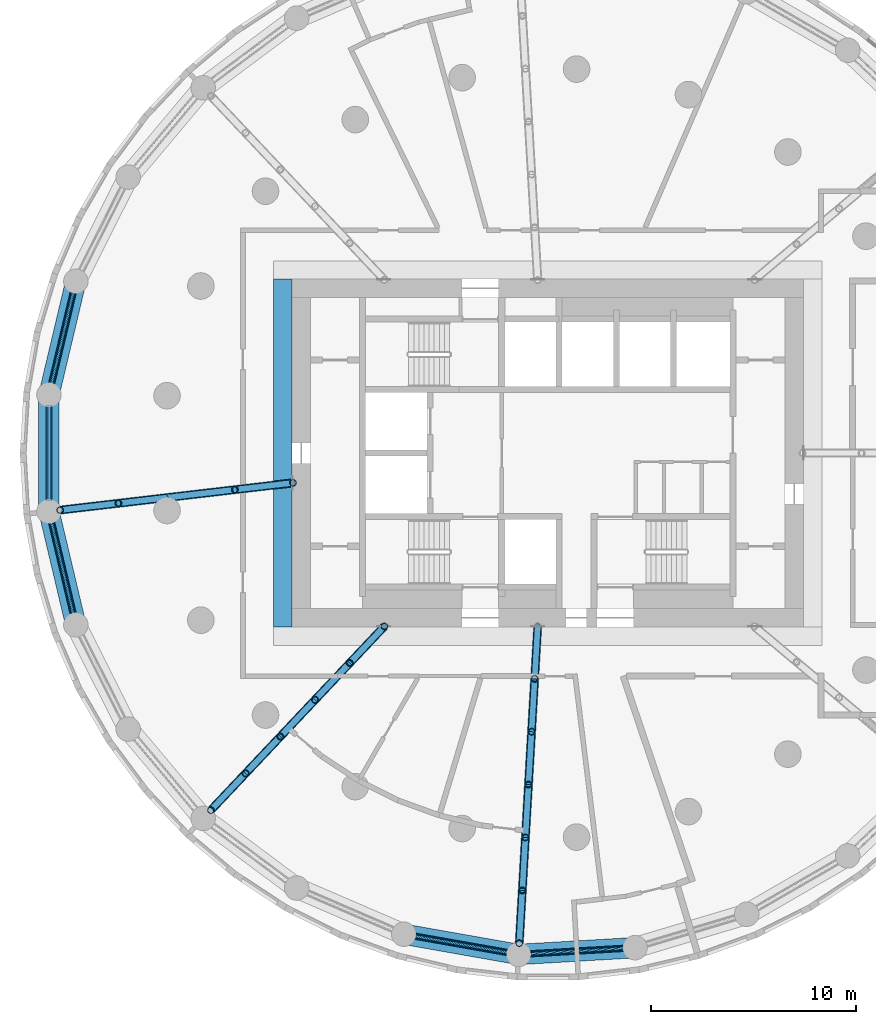
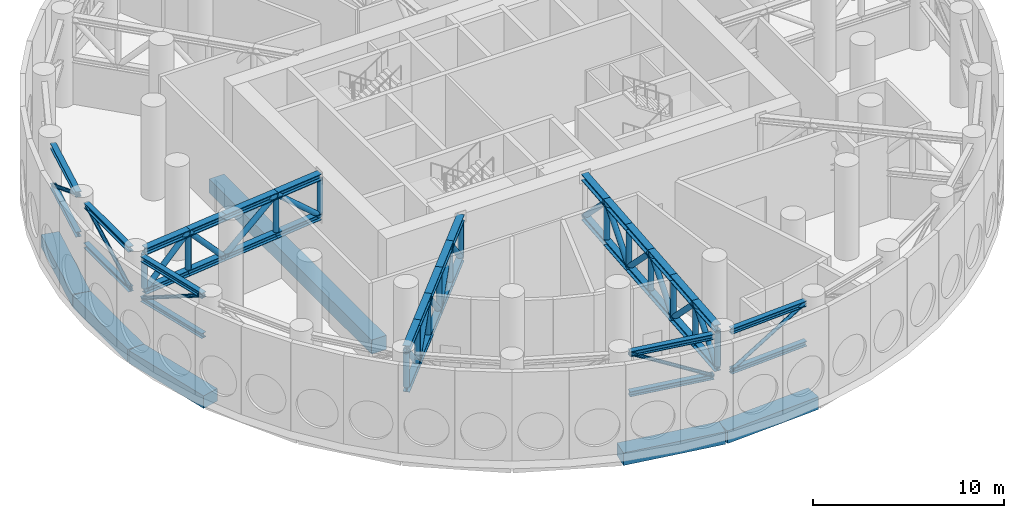
# One storey, part 2 of 15: 76 members, 6 beams.
"""IFC4 building model written with IfcOpenShell, lengths in metres."""

from ifc_helpers import new_model, si_unit, direction, frame, origin, origin_2d, place, context, subcontext, project, spatial, rectangle, hollow_circle, i_section, extrude, material, material_profile, profile_set, type_object, element, save


model = new_model("IFC4")

# Units and contexts
model_context = context("Model", 3, precision=1e-05, world=origin(), true_north=direction((0.0, 1.0)))
body_context = subcontext(model_context, "Body", "Model", "MODEL_VIEW")
ifc_project = project(units=[si_unit("LENGTHUNIT", "METRE"), si_unit("AREAUNIT", "SQUARE_METRE"), si_unit("VOLUMEUNIT", "CUBIC_METRE"), si_unit("PLANEANGLEUNIT", "RADIAN"), si_unit("MASSUNIT", "GRAM", prefix="KILO")], contexts=[model_context])

# Site, building, storey
site_placement = place(None, origin())
site = spatial("IfcSite", under=ifc_project, at=site_placement, CompositionType="ELEMENT")
building_placement = place(site_placement, origin())
building = spatial("IfcBuilding", under=site, at=building_placement, Name="Tracery Tower", CompositionType="ELEMENT")
storey_placement = place(building_placement, frame((0.0, 0.0, 225.0)))
storey = spatial("IfcBuildingStorey", under=building, at=storey_placement, Name="L58 Plant", CompositionType="ELEMENT", Elevation=225.0)

# Members
ifc_material_1 = material(Name="Steel S355", Category="steel")
ifc_material_profile_1 = material_profile(ifc_material_1, i_section(OverallWidth=0.30908203125, OverallDepth=0.320556640625, WebThickness=0.013916015625, FlangeThickness=0.021728515625, FilletRadius=0.01513671875, at=origin_2d()), Name="UKC 305x305x137")
ifc_profile_set_1 = profile_set([ifc_material_profile_1], Name="Steel S355")
member_type_1 = type_object("IfcMemberType", Name="Belt truss bottom chord UKC 305x305x137", PredefinedType="CHORD", material=ifc_profile_set_1)
for number, where, z_axis, x_axis, name in (
    (1, (-23.1826171875, 7.9091796875, 2.88720703125), (-0.230599710706, -0.973048700437, 0.0), (0.973048700437, -0.230599710706, 0.0), "Belt truss bottom chord 13"),
    (2, (-24.381591796875, 2.349853515625, 2.88720703125), (0.0, -1.0, 0.0), (1.0, 0.0, 0.0), "Belt truss bottom chord 14"),
    (3, (-24.266357421875, -3.336181640625, 2.88720703125), (0.230599710706, -0.973048700437, 0.0), (0.973048700437, 0.230599710706, 0.0), "Belt truss bottom chord 15"),
    (4, (-6.548095703125, -23.603271484375, 2.88720703125), (0.984806037579, -0.173657906089, 0.0), (0.173657906089, 0.984806037579, 0.0), "Belt truss bottom chord 20"),
):
    element("IfcMember", number, at=place(storey_placement, frame(where, z_axis=z_axis, x_axis=x_axis)), inside=storey, type_object=member_type_1, Name=name, PredefinedType="CHORD", context=body_context, shape_type="SweptSolid", body=[
        extrude(i_section(OverallWidth=0.30908203125, OverallDepth=0.320556640625, WebThickness=0.013916015625, FlangeThickness=0.021728515625, FilletRadius=0.01513671875, at=origin_2d()), origin(), (0.0, 0.0, 1.0), 4.69970703125),
    ])
member_1_placement = place(storey_placement, frame((-0.927978515625, -24.47705078125, 2.88720703125), z_axis=(0.998308775059, 0.058134238098, 0.0), x_axis=(-0.058134238098, 0.998308775059, 0.0)))
element("IfcMember", 5, at=member_1_placement, inside=storey, type_object=member_type_1, Name="Belt truss bottom chord 21", PredefinedType="CHORD", context=body_context, shape_type="SweptSolid", body=[
    extrude(i_section(OverallWidth=0.30908203125, OverallDepth=0.320556640625, WebThickness=0.013916015625, FlangeThickness=0.021728515625, FilletRadius=0.01513671875, at=origin_2d()), origin(), (0.0, 0.0, 1.0), 4.699462890625),
])
ifc_material_2 = material(Name="Steel S355", Category="steel")
ifc_material_profile_2 = material_profile(ifc_material_2, hollow_circle(Radius=0.109619140625, WallThickness=0.010009765625, at=origin_2d()), Name="CHS 219.1x10")
ifc_profile_set_2 = profile_set([ifc_material_profile_2], Name="Steel S355")
member_type_2 = type_object("IfcMemberType", Name="Belt truss diagonal CHS 219.1x10", PredefinedType="BRACE", material=ifc_profile_set_2)
for number, where, z_axis, x_axis, name in (
    (6, (-23.1826171875, 7.9091796875, 2.88720703125), (-0.202512719718, -0.854531595637, 0.478293163667), (0.973048700437, -0.230599710706, 0.0), "Belt truss diagonal 13"),
    (7, (-24.381591796875, 2.349853515625, 5.44677734375), (0.0, -0.878202244044, -0.478289471509), (1.0, 0.0, 0.0), "Belt truss diagonal 14"),
    (8, (-24.266357421875, -3.336181640625, 2.88720703125), (0.202512719718, -0.854531595637, 0.478293163667), (0.973048700437, 0.230599710706, 0.0), "Belt truss diagonal 15"),
    (9, (-6.548095703125, -23.603271484375, 5.44677734375), (0.864863920826, -0.152507653092, -0.478280058336), (0.173657906089, 0.984806037579, 0.0), "Belt truss diagonal 20"),
):
    element("IfcMember", number, at=place(storey_placement, frame(where, z_axis=z_axis, x_axis=x_axis)), inside=storey, type_object=member_type_2, Name=name, PredefinedType="BRACE", context=body_context, shape_type="SweptSolid", body=[
        extrude(hollow_circle(Radius=0.109619140625, WallThickness=0.010009765625, at=origin_2d()), origin(), (0.0, 0.0, 1.0), 5.3515625),
    ])
member_2_placement = place(storey_placement, frame((-0.927978515625, -24.47705078125, 2.88720703125), z_axis=(0.876701936053, 0.05105274076, 0.478317188675), x_axis=(-0.058134238098, 0.998308775059, 0.0)))
element("IfcMember", 10, at=member_2_placement, inside=storey, type_object=member_type_2, Name="Belt truss diagonal 21", PredefinedType="BRACE", context=body_context, shape_type="SweptSolid", body=[
    extrude(hollow_circle(Radius=0.109619140625, WallThickness=0.010009765625, at=origin_2d()), origin(), (0.0, 0.0, 1.0), 5.351318359375),
])
ifc_material_3 = material(Name="Steel S355", Category="steel")
ifc_material_profile_3 = material_profile(ifc_material_3, i_section(OverallWidth=0.314453125, OverallDepth=0.33984375, WebThickness=0.01904296875, FlangeThickness=0.031494140625, FilletRadius=0.01513671875, at=origin_2d()), Name="UKC 305x305x198")
ifc_profile_set_3 = profile_set([ifc_material_profile_3], Name="Steel S355")
member_type_3 = type_object("IfcMemberType", Name="Belt truss top chord UKC 305x305x198", PredefinedType="CHORD", material=ifc_profile_set_3)
for number, where, z_axis, x_axis, name in (
    (11, (-23.1826171875, 7.9091796875, 5.44677734375), (-0.230599710706, -0.973048700437, 0.0), (0.973048700437, -0.230599710706, 0.0), "Belt truss top chord 13"),
    (12, (-24.381591796875, 2.349853515625, 5.44677734375), (0.0, -1.0, 0.0), (1.0, 0.0, 0.0), "Belt truss top chord 14"),
    (13, (-24.266357421875, -3.336181640625, 5.44677734375), (0.230599710706, -0.973048700437, 0.0), (0.973048700437, 0.230599710706, 0.0), "Belt truss top chord 15"),
    (14, (-6.548095703125, -23.603271484375, 5.44677734375), (0.984806037579, -0.173657906089, 0.0), (0.173657906089, 0.984806037579, 0.0), "Belt truss top chord 20"),
):
    element("IfcMember", number, at=place(storey_placement, frame(where, z_axis=z_axis, x_axis=x_axis)), inside=storey, type_object=member_type_3, Name=name, PredefinedType="CHORD", context=body_context, shape_type="SweptSolid", body=[
        extrude(i_section(OverallWidth=0.314453125, OverallDepth=0.33984375, WebThickness=0.01904296875, FlangeThickness=0.031494140625, FilletRadius=0.01513671875, at=origin_2d()), origin(), (0.0, 0.0, 1.0), 4.69970703125),
    ])
member_3_placement = place(storey_placement, frame((-0.927978515625, -24.47705078125, 5.44677734375), z_axis=(0.998308775059, 0.058134238098, 0.0), x_axis=(-0.058134238098, 0.998308775059, 0.0)))
element("IfcMember", 15, at=member_3_placement, inside=storey, type_object=member_type_3, Name="Belt truss top chord 21", PredefinedType="CHORD", context=body_context, shape_type="SweptSolid", body=[
    extrude(i_section(OverallWidth=0.314453125, OverallDepth=0.33984375, WebThickness=0.01904296875, FlangeThickness=0.031494140625, FilletRadius=0.01513671875, at=origin_2d()), origin(), (0.0, 0.0, 1.0), 4.699462890625),
])

# Beam
ifc_material_4 = material(Name="Concrete C50/60", Category="concrete")
ifc_material_profile_4 = material_profile(ifc_material_4, rectangle(XDim=0.89990234375, YDim=0.89990234375, at=origin_2d()), Name="RC 900x900")
ifc_profile_set_4 = profile_set([ifc_material_profile_4], Name="Concrete C50/60")
beam_type_1 = type_object("IfcBeamType", Name="Core slab edge beam 900x900", PredefinedType="BEAM", material=ifc_profile_set_4)
beam_1_placement = place(storey_placement, frame((-12.949951171875, -8.5, -0.949951171875), z_axis=(0.0, 1.0, 0.0), x_axis=(-1.0, 0.0, 0.0)))
element("IfcBeam", 16, at=beam_1_placement, inside=storey, type_object=beam_type_1, Name="Core hole edge beam W at L58 Plant", PredefinedType="BEAM", context=body_context, shape_type="SweptSolid", body=[
    extrude(rectangle(XDim=0.89990234375, YDim=0.89990234375, at=origin_2d()), origin(), (0.0, 0.0, 1.0), 17.0),
])

# Members
ifc_material_5 = material(Name="Steel S355", Category="steel")
ifc_material_profile_5 = material_profile(ifc_material_5, i_section(OverallWidth=0.374755859375, OverallDepth=0.37451171875, WebThickness=0.0166015625, FlangeThickness=0.027099609375, FilletRadius=0.01513671875, at=origin_2d()), Name="UKC 356x368x202")
ifc_profile_set_5 = profile_set([ifc_material_profile_5], Name="Steel S355")
member_type_4 = type_object("IfcMemberType", Name="Outrigger bottom chord UKC 356x368x202", PredefinedType="CHORD", material=ifc_profile_set_5)
member_4_placement = place(storey_placement, frame((-12.4501953125, -1.455078125, 2.88720703125), z_axis=(-0.993235819769, -0.116114625812, 0.0), x_axis=(0.116114625812, -0.993235819769, 0.0)))
element("IfcMember", 17, at=member_4_placement, inside=storey, type_object=member_type_4, Name="Outrigger 5 bottom chord 1", PredefinedType="CHORD", context=body_context, shape_type="SweptSolid", body=[
    extrude(i_section(OverallWidth=0.374755859375, OverallDepth=0.37451171875, WebThickness=0.0166015625, FlangeThickness=0.027099609375, FilletRadius=0.01513671875, at=origin_2d()), origin(), (0.0, 0.0, 1.0), 2.86572265625),
])
member_5_placement = place(storey_placement, frame((-15.296630859375, -1.787841796875, 2.88720703125), z_axis=(-0.993238264288, -0.116093713675, 0.0), x_axis=(0.116093713675, -0.993238264288, 0.0)))
element("IfcMember", 18, at=member_5_placement, inside=storey, type_object=member_type_4, Name="Outrigger 5 bottom chord 2", PredefinedType="CHORD", context=body_context, shape_type="SweptSolid", body=[
    extrude(i_section(OverallWidth=0.374755859375, OverallDepth=0.37451171875, WebThickness=0.0166015625, FlangeThickness=0.027099609375, FilletRadius=0.01513671875, at=origin_2d()), origin(), (0.0, 0.0, 1.0), 3.410888671875),
])
member_6_placement = place(storey_placement, frame((-18.6845703125, -2.183837890625, 2.88720703125), z_axis=(-0.993229386635, -0.116169641153, 0.0), x_axis=(0.116169641153, -0.993229386635, 0.0)))
element("IfcMember", 19, at=member_6_placement, inside=storey, type_object=member_type_4, Name="Outrigger 5 bottom chord 3", PredefinedType="CHORD", context=body_context, shape_type="SweptSolid", body=[
    extrude(i_section(OverallWidth=0.374755859375, OverallDepth=0.37451171875, WebThickness=0.0166015625, FlangeThickness=0.027099609375, FilletRadius=0.01513671875, at=origin_2d()), origin(), (0.0, 0.0, 1.0), 2.320068359375),
])
member_7_placement = place(storey_placement, frame((-20.989013671875, -2.453369140625, 2.88720703125), z_axis=(-0.993245641261, -0.116030582674, 0.0), x_axis=(0.116030582674, -0.993245641261, 0.0)))
element("IfcMember", 20, at=member_7_placement, inside=storey, type_object=member_type_4, Name="Outrigger 5 bottom chord 4", PredefinedType="CHORD", context=body_context, shape_type="SweptSolid", body=[
    extrude(i_section(OverallWidth=0.374755859375, OverallDepth=0.37451171875, WebThickness=0.0166015625, FlangeThickness=0.027099609375, FilletRadius=0.01513671875, at=origin_2d()), origin(), (0.0, 0.0, 1.0), 2.86572265625),
])
for number, where, z_axis, x_axis, name in (
    (21, (-7.985107421875, -8.463623046875, 2.88720703125), (-0.686217469396, -0.727396442592, 0.0), (0.727396442592, -0.686217469396, 0.0), "Outrigger 6 bottom chord 1"),
    (22, (-9.681640625, -10.261962890625, 2.88720703125), (-0.686269713545, -0.727347152514, 0.0), (0.727347152514, -0.686269713545, 0.0), "Outrigger 6 bottom chord 2"),
    (23, (-11.37841796875, -12.060302734375, 2.88720703125), (-0.686217469396, -0.727396442592, 0.0), (0.727396442592, -0.686217469396, 0.0), "Outrigger 6 bottom chord 3"),
    (24, (-13.074951171875, -13.858642578125, 2.88720703125), (-0.686217469396, -0.727396442592, 0.0), (0.727396442592, -0.686217469396, 0.0), "Outrigger 6 bottom chord 4"),
):
    element("IfcMember", number, at=place(storey_placement, frame(where, z_axis=z_axis, x_axis=x_axis)), inside=storey, type_object=member_type_4, Name=name, PredefinedType="CHORD", context=body_context, shape_type="SweptSolid", body=[
        extrude(i_section(OverallWidth=0.374755859375, OverallDepth=0.37451171875, WebThickness=0.0166015625, FlangeThickness=0.027099609375, FilletRadius=0.01513671875, at=origin_2d()), origin(), (0.0, 0.0, 1.0), 2.472412109375),
    ])
member_8_placement = place(storey_placement, frame((-14.771484375, -15.656982421875, 2.88720703125), z_axis=(-0.686319004123, -0.727300642499, 0.0), x_axis=(0.727300642499, -0.686319004123, 0.0)))
element("IfcMember", 25, at=member_8_placement, inside=storey, type_object=member_type_4, Name="Outrigger 6 bottom chord 5", PredefinedType="CHORD", context=body_context, shape_type="SweptSolid", body=[
    extrude(i_section(OverallWidth=0.374755859375, OverallDepth=0.37451171875, WebThickness=0.0166015625, FlangeThickness=0.027099609375, FilletRadius=0.01513671875, at=origin_2d()), origin(), (0.0, 0.0, 1.0), 2.47216796875),
])
for number, where, z_axis, x_axis, name in (
    (26, (-0.4921875, -8.4501953125, 2.88720703125), (-0.058091793635, -0.998311245811, 0.0), (0.998311245811, -0.058091793635, 0.0), "Outrigger 7 bottom chord 1"),
    (27, (-0.642578125, -11.03466796875, 2.88720703125), (-0.058185779475, -0.99830577233, 0.0), (0.99830577233, -0.058185779475, 0.0), "Outrigger 7 bottom chord 2"),
    (28, (-0.793212890625, -13.619140625, 2.88720703125), (-0.058185779475, -0.99830577233, 0.0), (0.99830577233, -0.058185779475, 0.0), "Outrigger 7 bottom chord 3"),
    (29, (-0.94384765625, -16.20361328125, 2.88720703125), (-0.058091793635, -0.998311245811, 0.0), (0.998311245811, -0.058091793635, 0.0), "Outrigger 7 bottom chord 4"),
    (30, (-1.09423828125, -18.7880859375, 2.88720703125), (-0.058185779475, -0.99830577233, 0.0), (0.99830577233, -0.058185779475, 0.0), "Outrigger 7 bottom chord 5"),
    (31, (-1.244873046875, -21.37255859375, 2.88720703125), (-0.058091793635, -0.998311245811, 0.0), (0.998311245811, -0.058091793635, 0.0), "Outrigger 7 bottom chord 6"),
):
    element("IfcMember", number, at=place(storey_placement, frame(where, z_axis=z_axis, x_axis=x_axis)), inside=storey, type_object=member_type_4, Name=name, PredefinedType="CHORD", context=body_context, shape_type="SweptSolid", body=[
        extrude(i_section(OverallWidth=0.374755859375, OverallDepth=0.37451171875, WebThickness=0.0166015625, FlangeThickness=0.027099609375, FilletRadius=0.01513671875, at=origin_2d()), origin(), (0.0, 0.0, 1.0), 2.5888671875),
    ])
ifc_material_6 = material(Name="Steel S355", Category="steel")
ifc_material_profile_6 = material_profile(ifc_material_6, hollow_circle(Radius=0.161865234375, WallThickness=0.01611328125, at=origin_2d()), Name="CHS 323.9x16")
ifc_profile_set_6 = profile_set([ifc_material_profile_6], Name="Steel S355")
member_type_5 = type_object("IfcMemberType", Name="Outrigger diagonal CHS 323.9x16", PredefinedType="BRACE", material=ifc_profile_set_6)
member_9_placement = place(storey_placement, frame((-12.4501953125, -1.455078125, 2.88720703125), z_axis=(-0.740788998804, -0.086602230497, 0.666131903548), x_axis=(0.116114625812, -0.993235819769, 0.0)))
element("IfcMember", 32, at=member_9_placement, inside=storey, type_object=member_type_5, Name="Outrigger 5 diagonal 1", PredefinedType="BRACE", context=body_context, shape_type="SweptSolid", body=[
    extrude(hollow_circle(Radius=0.161865234375, WallThickness=0.01611328125, at=origin_2d()), origin(), (0.0, 0.0, 1.0), 3.842529296875),
])
member_10_placement = place(storey_placement, frame((-15.296630859375, -1.787841796875, 5.44677734375), z_axis=(-0.794443298156, -0.092857752368, -0.600197703961), x_axis=(0.116093713675, -0.993238264288, 0.0)))
element("IfcMember", 33, at=member_10_placement, inside=storey, type_object=member_type_5, Name="Outrigger 5 diagonal 2", PredefinedType="BRACE", context=body_context, shape_type="SweptSolid", body=[
    extrude(hollow_circle(Radius=0.161865234375, WallThickness=0.01611328125, at=origin_2d()), origin(), (0.0, 0.0, 1.0), 4.2646484375),
])
member_11_placement = place(storey_placement, frame((-18.6845703125, -2.183837890625, 2.88720703125), z_axis=(-0.667058320827, -0.078020170166, 0.740908934797), x_axis=(0.116169641153, -0.993229386635, 0.0)))
element("IfcMember", 34, at=member_11_placement, inside=storey, type_object=member_type_5, Name="Outrigger 5 diagonal 3", PredefinedType="BRACE", context=body_context, shape_type="SweptSolid", body=[
    extrude(hollow_circle(Radius=0.161865234375, WallThickness=0.01611328125, at=origin_2d()), origin(), (0.0, 0.0, 1.0), 3.45458984375),
])
member_12_placement = place(storey_placement, frame((-20.989013671875, -2.453369140625, 5.44677734375), z_axis=(-0.740793073555, -0.086539168555, -0.666135567643), x_axis=(0.116030582674, -0.993245641261, 0.0)))
element("IfcMember", 35, at=member_12_placement, inside=storey, type_object=member_type_5, Name="Outrigger 5 diagonal 4", PredefinedType="BRACE", context=body_context, shape_type="SweptSolid", body=[
    extrude(hollow_circle(Radius=0.161865234375, WallThickness=0.01611328125, at=origin_2d()), origin(), (0.0, 0.0, 1.0), 3.842529296875),
])
member_13_placement = place(storey_placement, frame((-7.985107421875, -8.463623046875, 2.88720703125), z_axis=(-0.476741427092, -0.505350029063, 0.719262789125), x_axis=(0.727396442592, -0.686217469396, 0.0)))
element("IfcMember", 36, at=member_13_placement, inside=storey, type_object=member_type_5, Name="Outrigger 6 diagonal 1", PredefinedType="BRACE", context=body_context, shape_type="SweptSolid", body=[
    extrude(hollow_circle(Radius=0.161865234375, WallThickness=0.01611328125, at=origin_2d()), origin(), (0.0, 0.0, 1.0), 3.55859375),
])
member_14_placement = place(storey_placement, frame((-9.681640625, -10.261962890625, 5.44677734375), z_axis=(-0.47679443737, -0.505333500096, -0.719239263509), x_axis=(0.727347152514, -0.686269713545, 0.0)))
element("IfcMember", 37, at=member_14_placement, inside=storey, type_object=member_type_5, Name="Outrigger 6 diagonal 2", PredefinedType="BRACE", context=body_context, shape_type="SweptSolid", body=[
    extrude(hollow_circle(Radius=0.161865234375, WallThickness=0.01611328125, at=origin_2d()), origin(), (0.0, 0.0, 1.0), 3.558837890625),
])
for number, where, z_axis, x_axis, name in (
    (38, (-11.37841796875, -12.060302734375, 2.88720703125), (-0.476741427092, -0.505350029063, 0.719262789125), (0.727396442592, -0.686217469396, 0.0), "Outrigger 6 diagonal 3"),
    (39, (-13.074951171875, -13.858642578125, 5.44677734375), (-0.476741427092, -0.505350029063, -0.719262789125), (0.727396442592, -0.686217469396, 0.0), "Outrigger 6 diagonal 4"),
    (40, (-14.771484375, -15.656982421875, 2.88720703125), (-0.476810966453, -0.505282412651, 0.719264197452), (0.727300642499, -0.686319004123, 0.0), "Outrigger 6 diagonal 5"),
):
    element("IfcMember", number, at=place(storey_placement, frame(where, z_axis=z_axis, x_axis=x_axis)), inside=storey, type_object=member_type_5, Name=name, PredefinedType="BRACE", context=body_context, shape_type="SweptSolid", body=[
        extrude(hollow_circle(Radius=0.161865234375, WallThickness=0.01611328125, at=origin_2d()), origin(), (0.0, 0.0, 1.0), 3.55859375),
    ])
for number, where, z_axis, x_axis, name in (
    (41, (-0.4921875, -8.4501953125, 2.88720703125), (-0.04131000083, -0.709915046732, 0.703074754386), (0.998311245811, -0.058091793635, 0.0), "Outrigger 7 diagonal 1"),
    (42, (-0.642578125, -11.03466796875, 5.44677734375), (-0.041376947799, -0.709913078453, -0.703072805073), (0.99830577233, -0.058185779475, 0.0), "Outrigger 7 diagonal 2"),
    (43, (-0.793212890625, -13.619140625, 2.88720703125), (-0.041376947799, -0.709913078453, 0.703072805073), (0.99830577233, -0.058185779475, 0.0), "Outrigger 7 diagonal 3"),
    (44, (-0.94384765625, -16.20361328125, 5.44677734375), (-0.04131000083, -0.709915046732, -0.703074754386), (0.998311245811, -0.058091793635, 0.0), "Outrigger 7 diagonal 4"),
    (45, (-1.09423828125, -18.7880859375, 2.88720703125), (-0.041376947799, -0.709913078453, 0.703072805073), (0.99830577233, -0.058185779475, 0.0), "Outrigger 7 diagonal 5"),
    (46, (-1.244873046875, -21.37255859375, 5.44677734375), (-0.04131000083, -0.709915046732, -0.703074754386), (0.998311245811, -0.058091793635, 0.0), "Outrigger 7 diagonal 6"),
):
    element("IfcMember", number, at=place(storey_placement, frame(where, z_axis=z_axis, x_axis=x_axis)), inside=storey, type_object=member_type_5, Name=name, PredefinedType="BRACE", context=body_context, shape_type="SweptSolid", body=[
        extrude(hollow_circle(Radius=0.161865234375, WallThickness=0.01611328125, at=origin_2d()), origin(), (0.0, 0.0, 1.0), 3.640625),
    ])
ifc_material_7 = material(Name="Steel S355", Category="steel")
ifc_material_profile_7 = material_profile(ifc_material_7, hollow_circle(Radius=0.161865234375, WallThickness=0.01611328125, at=origin_2d()), Name="CHS 323.9x16")
ifc_profile_set_7 = profile_set([ifc_material_profile_7], Name="Steel S355")
member_type_6 = type_object("IfcMemberType", Name="Outrigger post CHS 323.9x16", PredefinedType="POST", material=ifc_profile_set_7)
for number, where, z_axis, x_axis, name in (
    (47, (-12.4501953125, -1.455078125, 3.07470703125), (0.0, 0.0, 1.0), (1.0, 0.0, 0.0), "Outrigger 5 post 1"),
    (48, (-15.296630859375, -1.787841796875, 3.07470703125), (0.0, 0.0, 1.0), (1.0, 0.0, 0.0), "Outrigger 5 post 2"),
    (49, (-20.989013671875, -2.453369140625, 3.07470703125), (0.0, 0.0, 1.0), (1.0, 0.0, 0.0), "Outrigger 5 post 4"),
    (50, (-23.83544921875, -2.785888671875, 3.07470703125), (0.0, 0.0, 1.0), (1.0, 0.0, 0.0), "Outrigger 5 post 5"),
    (51, (-7.985107421875, -8.463623046875, 3.07470703125), (0.0, 0.0, 1.0), (1.0, 0.0, 0.0), "Outrigger 6 post 1"),
    (52, (-9.681640625, -10.261962890625, 3.07470703125), (0.0, 0.0, 1.0), (1.0, 0.0, 0.0), "Outrigger 6 post 2"),
    (53, (-11.37841796875, -12.060302734375, 3.07470703125), (0.0, 0.0, 1.0), (1.0, 0.0, 0.0), "Outrigger 6 post 3"),
    (54, (-13.074951171875, -13.858642578125, 3.07470703125), (0.0, 0.0, 1.0), (1.0, 0.0, 0.0), "Outrigger 6 post 4"),
    (55, (-14.771484375, -15.656982421875, 3.07470703125), (0.0, 0.0, 1.0), (1.0, 0.0, 0.0), "Outrigger 6 post 5"),
    (56, (-16.46826171875, -17.455078125, 3.07470703125), (0.0, 0.0, 1.0), (1.0, 0.0, 0.0), "Outrigger 6 post 6"),
    (57, (-0.642578125, -11.03466796875, 3.07470703125), (0.0, 0.0, 1.0), (1.0, 0.0, 0.0), "Outrigger 7 post 2"),
    (58, (-0.793212890625, -13.619140625, 3.07470703125), (0.0, 0.0, 1.0), (1.0, 0.0, 0.0), "Outrigger 7 post 3"),
    (59, (-0.94384765625, -16.20361328125, 3.07470703125), (0.0, 0.0, 1.0), (1.0, 0.0, 0.0), "Outrigger 7 post 4"),
    (60, (-1.09423828125, -18.7880859375, 3.07470703125), (0.0, 0.0, 1.0), (1.0, 0.0, 0.0), "Outrigger 7 post 5"),
    (61, (-1.244873046875, -21.37255859375, 3.07470703125), (0.0, 0.0, 1.0), (1.0, 0.0, 0.0), "Outrigger 7 post 6"),
    (62, (-1.395263671875, -23.95703125, 3.07470703125), (0.0, 0.0, 1.0), (1.0, 0.0, 0.0), "Outrigger 7 post 7"),
):
    element("IfcMember", number, at=place(storey_placement, frame(where, z_axis=z_axis, x_axis=x_axis)), inside=storey, type_object=member_type_6, Name=name, PredefinedType="POST", context=body_context, shape_type="SweptSolid", body=[
        extrude(hollow_circle(Radius=0.161865234375, WallThickness=0.01611328125, at=origin_2d()), origin(), (0.0, 0.0, 1.0), 2.1689453125),
    ])
ifc_material_8 = material(Name="Steel S355", Category="steel")
ifc_material_profile_8 = material_profile(ifc_material_8, i_section(OverallWidth=0.403076171875, OverallDepth=0.406494140625, WebThickness=0.026611328125, FlangeThickness=0.04296875, FilletRadius=0.01513671875, at=origin_2d()), Name="UKC 356x406x340")
ifc_profile_set_8 = profile_set([ifc_material_profile_8], Name="Steel S355")
member_type_7 = type_object("IfcMemberType", Name="Outrigger top chord UKC 356x406x340", PredefinedType="CHORD", material=ifc_profile_set_8)
member_15_placement = place(storey_placement, frame((-12.4501953125, -1.455078125, 5.44677734375), z_axis=(-0.993235819769, -0.116114625812, 0.0), x_axis=(0.116114625812, -0.993235819769, 0.0)))
element("IfcMember", 63, at=member_15_placement, inside=storey, type_object=member_type_7, Name="Outrigger 5 top chord 1", PredefinedType="CHORD", context=body_context, shape_type="SweptSolid", body=[
    extrude(i_section(OverallWidth=0.403076171875, OverallDepth=0.406494140625, WebThickness=0.026611328125, FlangeThickness=0.04296875, FilletRadius=0.01513671875, at=origin_2d()), origin(), (0.0, 0.0, 1.0), 2.86572265625),
])
member_16_placement = place(storey_placement, frame((-15.296630859375, -1.787841796875, 5.44677734375), z_axis=(-0.993238264288, -0.116093713675, 0.0), x_axis=(0.116093713675, -0.993238264288, 0.0)))
element("IfcMember", 64, at=member_16_placement, inside=storey, type_object=member_type_7, Name="Outrigger 5 top chord 2", PredefinedType="CHORD", context=body_context, shape_type="SweptSolid", body=[
    extrude(i_section(OverallWidth=0.403076171875, OverallDepth=0.406494140625, WebThickness=0.026611328125, FlangeThickness=0.04296875, FilletRadius=0.01513671875, at=origin_2d()), origin(), (0.0, 0.0, 1.0), 3.410888671875),
])
member_17_placement = place(storey_placement, frame((-18.6845703125, -2.183837890625, 5.44677734375), z_axis=(-0.993229386635, -0.116169641153, 0.0), x_axis=(0.116169641153, -0.993229386635, 0.0)))
element("IfcMember", 65, at=member_17_placement, inside=storey, type_object=member_type_7, Name="Outrigger 5 top chord 3", PredefinedType="CHORD", context=body_context, shape_type="SweptSolid", body=[
    extrude(i_section(OverallWidth=0.403076171875, OverallDepth=0.406494140625, WebThickness=0.026611328125, FlangeThickness=0.04296875, FilletRadius=0.01513671875, at=origin_2d()), origin(), (0.0, 0.0, 1.0), 2.320068359375),
])
member_18_placement = place(storey_placement, frame((-20.989013671875, -2.453369140625, 5.44677734375), z_axis=(-0.993245641261, -0.116030582674, 0.0), x_axis=(0.116030582674, -0.993245641261, 0.0)))
element("IfcMember", 66, at=member_18_placement, inside=storey, type_object=member_type_7, Name="Outrigger 5 top chord 4", PredefinedType="CHORD", context=body_context, shape_type="SweptSolid", body=[
    extrude(i_section(OverallWidth=0.403076171875, OverallDepth=0.406494140625, WebThickness=0.026611328125, FlangeThickness=0.04296875, FilletRadius=0.01513671875, at=origin_2d()), origin(), (0.0, 0.0, 1.0), 2.86572265625),
])
for number, where, z_axis, x_axis, name in (
    (67, (-7.985107421875, -8.463623046875, 5.44677734375), (-0.686217469396, -0.727396442592, 0.0), (0.727396442592, -0.686217469396, 0.0), "Outrigger 6 top chord 1"),
    (68, (-9.681640625, -10.261962890625, 5.44677734375), (-0.686269713545, -0.727347152514, 0.0), (0.727347152514, -0.686269713545, 0.0), "Outrigger 6 top chord 2"),
    (69, (-11.37841796875, -12.060302734375, 5.44677734375), (-0.686217469396, -0.727396442592, 0.0), (0.727396442592, -0.686217469396, 0.0), "Outrigger 6 top chord 3"),
    (70, (-13.074951171875, -13.858642578125, 5.44677734375), (-0.686217469396, -0.727396442592, 0.0), (0.727396442592, -0.686217469396, 0.0), "Outrigger 6 top chord 4"),
):
    element("IfcMember", number, at=place(storey_placement, frame(where, z_axis=z_axis, x_axis=x_axis)), inside=storey, type_object=member_type_7, Name=name, PredefinedType="CHORD", context=body_context, shape_type="SweptSolid", body=[
        extrude(i_section(OverallWidth=0.403076171875, OverallDepth=0.406494140625, WebThickness=0.026611328125, FlangeThickness=0.04296875, FilletRadius=0.01513671875, at=origin_2d()), origin(), (0.0, 0.0, 1.0), 2.472412109375),
    ])
member_19_placement = place(storey_placement, frame((-14.771484375, -15.656982421875, 5.44677734375), z_axis=(-0.686319004123, -0.727300642499, 0.0), x_axis=(0.727300642499, -0.686319004123, 0.0)))
element("IfcMember", 71, at=member_19_placement, inside=storey, type_object=member_type_7, Name="Outrigger 6 top chord 5", PredefinedType="CHORD", context=body_context, shape_type="SweptSolid", body=[
    extrude(i_section(OverallWidth=0.403076171875, OverallDepth=0.406494140625, WebThickness=0.026611328125, FlangeThickness=0.04296875, FilletRadius=0.01513671875, at=origin_2d()), origin(), (0.0, 0.0, 1.0), 2.47216796875),
])
for number, where, z_axis, x_axis, name in (
    (72, (-0.4921875, -8.4501953125, 5.44677734375), (-0.058091793635, -0.998311245811, 0.0), (0.998311245811, -0.058091793635, 0.0), "Outrigger 7 top chord 1"),
    (73, (-0.642578125, -11.03466796875, 5.44677734375), (-0.058185779475, -0.99830577233, 0.0), (0.99830577233, -0.058185779475, 0.0), "Outrigger 7 top chord 2"),
    (74, (-0.793212890625, -13.619140625, 5.44677734375), (-0.058185779475, -0.99830577233, 0.0), (0.99830577233, -0.058185779475, 0.0), "Outrigger 7 top chord 3"),
    (75, (-0.94384765625, -16.20361328125, 5.44677734375), (-0.058091793635, -0.998311245811, 0.0), (0.998311245811, -0.058091793635, 0.0), "Outrigger 7 top chord 4"),
    (76, (-1.09423828125, -18.7880859375, 5.44677734375), (-0.058185779475, -0.99830577233, 0.0), (0.99830577233, -0.058185779475, 0.0), "Outrigger 7 top chord 5"),
    (77, (-1.244873046875, -21.37255859375, 5.44677734375), (-0.058091793635, -0.998311245811, 0.0), (0.998311245811, -0.058091793635, 0.0), "Outrigger 7 top chord 6"),
):
    element("IfcMember", number, at=place(storey_placement, frame(where, z_axis=z_axis, x_axis=x_axis)), inside=storey, type_object=member_type_7, Name=name, PredefinedType="CHORD", context=body_context, shape_type="SweptSolid", body=[
        extrude(i_section(OverallWidth=0.403076171875, OverallDepth=0.406494140625, WebThickness=0.026611328125, FlangeThickness=0.04296875, FilletRadius=0.01513671875, at=origin_2d()), origin(), (0.0, 0.0, 1.0), 2.5888671875),
    ])

# Beams
ifc_material_9 = material(Name="Concrete C50/60", Category="concrete")
ifc_material_profile_9 = material_profile(ifc_material_9, rectangle(XDim=1.0, YDim=0.800048828125, at=origin_2d()), Name="RC 1000x800")
ifc_profile_set_9 = profile_set([ifc_material_profile_9], Name="Concrete C50/60")
beam_type_2 = type_object("IfcBeamType", Name="Plant level band beam 1000x800", PredefinedType="BEAM", material=ifc_profile_set_9)
beam_2_placement = place(storey_placement, frame((-23.0673828125, 8.395751953125, -0.89990234375), z_axis=(-0.230583793756, -0.973052472407, 0.0), x_axis=(0.973052472407, -0.230583793756, 0.0)))
element("IfcBeam", 78, at=beam_2_placement, inside=storey, type_object=beam_type_2, Name="Perimeter beam 1.12 under L58 Plant", PredefinedType="BEAM", context=body_context, shape_type="SweptSolid", body=[
    extrude(rectangle(XDim=1.0, YDim=0.800048828125, at=origin_2d()), origin(), (0.0, 0.0, 1.0), 5.699462890625),
])
beam_3_placement = place(storey_placement, frame((-24.381591796875, 2.849853515625, -0.89990234375), z_axis=(0.0, -1.0, 0.0), x_axis=(1.0, 0.0, 0.0)))
element("IfcBeam", 79, at=beam_3_placement, inside=storey, type_object=beam_type_2, Name="Perimeter beam 1.13 under L58 Plant", PredefinedType="BEAM", context=body_context, shape_type="SweptSolid", body=[
    extrude(rectangle(XDim=1.0, YDim=0.800048828125, at=origin_2d()), origin(), (0.0, 0.0, 1.0), 5.69970703125),
])
beam_4_placement = place(storey_placement, frame((-24.381591796875, -2.849853515625, -0.89990234375), z_axis=(0.230583793756, -0.973052472407, 0.0), x_axis=(0.973052472407, 0.230583793756, 0.0)))
element("IfcBeam", 80, at=beam_4_placement, inside=storey, type_object=beam_type_2, Name="Perimeter beam 1.14 under L58 Plant", PredefinedType="BEAM", context=body_context, shape_type="SweptSolid", body=[
    extrude(rectangle(XDim=1.0, YDim=0.800048828125, at=origin_2d()), origin(), (0.0, 0.0, 1.0), 5.699462890625),
])
beam_5_placement = place(storey_placement, frame((-7.040283203125, -23.516357421875, -0.89990234375), z_axis=(0.984807266719, -0.173650935552, 0.0), x_axis=(0.173650935552, 0.984807266719, 0.0)))
element("IfcBeam", 81, at=beam_5_placement, inside=storey, type_object=beam_type_2, Name="Perimeter beam 1.19 under L58 Plant", PredefinedType="BEAM", context=body_context, shape_type="SweptSolid", body=[
    extrude(rectangle(XDim=1.0, YDim=0.800048828125, at=origin_2d()), origin(), (0.0, 0.0, 1.0), 5.69970703125),
])
beam_6_placement = place(storey_placement, frame((-1.42724609375, -24.506103515625, -0.89990234375), z_axis=(0.99830920221, 0.058126902403, 0.0), x_axis=(-0.058126902403, 0.99830920221, 0.0)))
element("IfcBeam", 82, at=beam_6_placement, inside=storey, type_object=beam_type_2, Name="Perimeter beam 1.20 under L58 Plant", PredefinedType="BEAM", context=body_context, shape_type="SweptSolid", body=[
    extrude(rectangle(XDim=1.0, YDim=0.800048828125, at=origin_2d()), origin(), (0.0, 0.0, 1.0), 5.699462890625),
])

save(model, "model.ifc")
